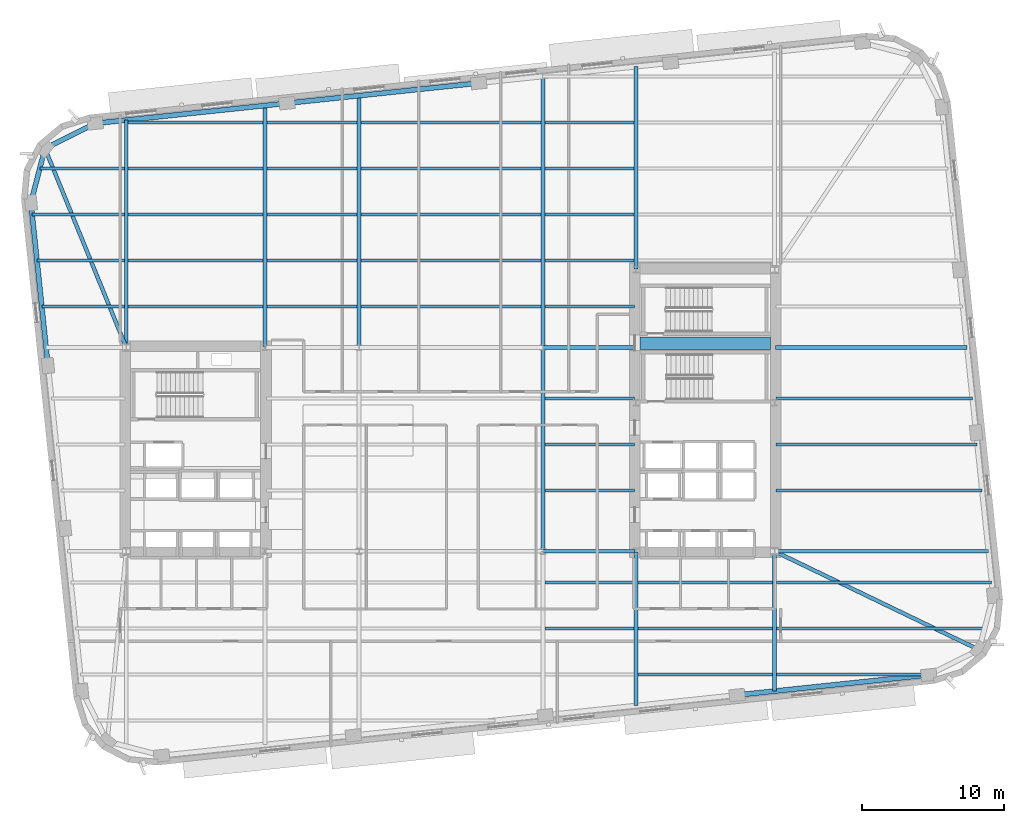
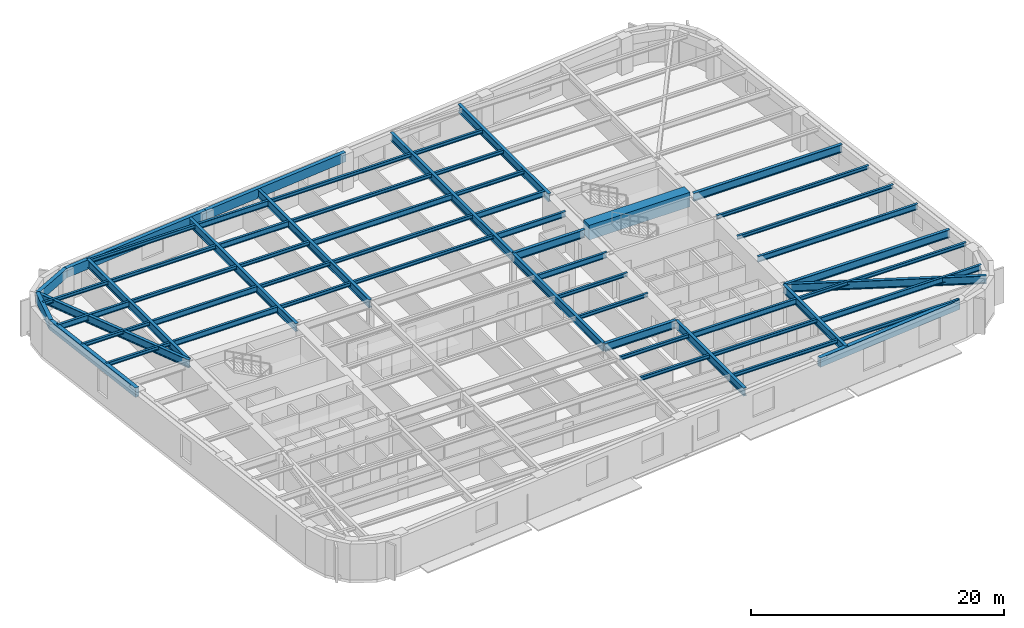
# One storey, part 2 of 15: 59 beams.
"""IFC4 building model written with IfcOpenShell, lengths in metres."""

from ifc_helpers import new_model, si_unit, direction, frame, origin, origin_2d, place, context, subcontext, project, spatial, rectangle, hollow_rectangle, i_section, extrude, material, material_profile, profile_set, type_object, element, save


model = new_model("IFC4")

# Units and contexts
model_context = context("Model", 3, precision=1e-05, world=origin(), true_north=direction((0.0, 1.0)))
body_context = subcontext(model_context, "Body", "Model", "MODEL_VIEW")
ifc_project = project(units=[si_unit("LENGTHUNIT", "METRE"), si_unit("AREAUNIT", "SQUARE_METRE"), si_unit("VOLUMEUNIT", "CUBIC_METRE"), si_unit("PLANEANGLEUNIT", "RADIAN"), si_unit("MASSUNIT", "GRAM", prefix="KILO")], contexts=[model_context])

# Site, building, storey
site_placement = place(None, origin())
site = spatial("IfcSite", under=ifc_project, at=site_placement, CompositionType="ELEMENT")
building_placement = place(site_placement, origin())
building = spatial("IfcBuilding", under=site, at=building_placement, Name="Kolvaren Arena Tower", CompositionType="ELEMENT")
storey_placement = place(building_placement, frame((0.0, 0.0, 107.199951171875)))
storey = spatial("IfcBuildingStorey", under=building, at=storey_placement, Name="L24", CompositionType="ELEMENT", Elevation=107.199951171875)

# Beams
ifc_material_1 = material(Name="Steel CSA G40.21 350W", Category="steel")
ifc_material_profile_1 = material_profile(ifc_material_1, i_section(OverallWidth=0.2119140625, OverallDepth=0.54296875, WebThickness=0.01318359375, FlangeThickness=0.0244140625, FilletRadius=0.013916015625, at=origin_2d()), Name="W530x150")
ifc_profile_set_1 = profile_set([ifc_material_profile_1], Name="Steel CSA G40.21 350W")
beam_type_1 = type_object("IfcBeamType", Name="BEAM-F1", PredefinedType="BEAM", material=ifc_profile_set_1)
beam_1_placement = place(storey_placement, frame((60.485107421875, 14.0, 3.20849609375), z_axis=(1.0, 0.0, 0.0), x_axis=(0.0, 1.0, 0.0)))
element("IfcBeam", 1, at=beam_1_placement, inside=storey, type_object=beam_type_1, Name="Composite Floor Beam (L24)", PredefinedType="BEAM", context=body_context, shape_type="SweptSolid", body=[
    extrude(i_section(OverallWidth=0.2119140625, OverallDepth=0.54296875, WebThickness=0.01318359375, FlangeThickness=0.0244140625, FilletRadius=0.013916015625, at=origin_2d()), origin(), (0.0, 0.0, 1.0), 14.69677734375),
])
beam_2_placement = place(storey_placement, frame((50.68505859375, 17.25, 3.20849609375), z_axis=(1.0, 0.0, 0.0), x_axis=(0.0, 1.0, 0.0)))
element("IfcBeam", 2, at=beam_2_placement, inside=storey, type_object=beam_type_1, Name="Composite Floor Beam (L24)", PredefinedType="BEAM", context=body_context, shape_type="SweptSolid", body=[
    extrude(i_section(OverallWidth=0.2119140625, OverallDepth=0.54296875, WebThickness=0.01318359375, FlangeThickness=0.0244140625, FilletRadius=0.013916015625, at=origin_2d()), origin(), (0.0, 0.0, 1.0), 9.530029296875),
])
beam_3_placement = place(storey_placement, frame((60.445068359375, 23.75, 3.20849609375), z_axis=(1.0, 0.0, 0.0), x_axis=(0.0, 1.0, 0.0)))
element("IfcBeam", 3, at=beam_3_placement, inside=storey, type_object=beam_type_1, Name="Composite Floor Beam (L24)", PredefinedType="BEAM", context=body_context, shape_type="SweptSolid", body=[
    extrude(i_section(OverallWidth=0.2119140625, OverallDepth=0.54296875, WebThickness=0.01318359375, FlangeThickness=0.0244140625, FilletRadius=0.013916015625, at=origin_2d()), origin(), (0.0, 0.0, 1.0), 14.56103515625),
])
beam_4_placement = place(storey_placement, frame((44.135009765625, 30.25, 3.20849609375), z_axis=(1.0, 0.0, 0.0), x_axis=(0.0, 1.0, 0.0)))
element("IfcBeam", 4, at=beam_4_placement, inside=storey, type_object=beam_type_1, Name="Composite Floor Beam (L24)", PredefinedType="BEAM", context=body_context, shape_type="SweptSolid", body=[
    extrude(i_section(OverallWidth=0.2119140625, OverallDepth=0.54296875, WebThickness=0.01318359375, FlangeThickness=0.0244140625, FilletRadius=0.013916015625, at=origin_2d()), origin(), (0.0, 0.0, 1.0), 6.320068359375),
])
beam_5_placement = place(storey_placement, frame((14.68505859375, 36.75, 3.20849609375), z_axis=(1.0, 0.0, 0.0), x_axis=(0.0, 1.0, 0.0)))
element("IfcBeam", 5, at=beam_5_placement, inside=storey, type_object=beam_type_1, Name="Composite Floor Beam (L24)", PredefinedType="BEAM", context=body_context, shape_type="SweptSolid", body=[
    extrude(i_section(OverallWidth=0.2119140625, OverallDepth=0.54296875, WebThickness=0.01318359375, FlangeThickness=0.0244140625, FilletRadius=0.013916015625, at=origin_2d()), origin(), (0.0, 0.0, 1.0), 9.530029296875),
])
beam_6_placement = place(storey_placement, frame((44.135009765625, 36.75, 3.20849609375), z_axis=(1.0, 0.0, 0.0), x_axis=(0.0, 1.0, 0.0)))
element("IfcBeam", 6, at=beam_6_placement, inside=storey, type_object=beam_type_1, Name="Composite Floor Beam (L24)", PredefinedType="BEAM", context=body_context, shape_type="SweptSolid", body=[
    extrude(i_section(OverallWidth=0.2119140625, OverallDepth=0.54296875, WebThickness=0.01318359375, FlangeThickness=0.0244140625, FilletRadius=0.013916015625, at=origin_2d()), origin(), (0.0, 0.0, 1.0), 6.320068359375),
])
beam_7_placement = place(storey_placement, frame((14.68505859375, 40.0, 3.20849609375), z_axis=(1.0, 0.0, 0.0), x_axis=(0.0, 1.0, 0.0)))
element("IfcBeam", 7, at=beam_7_placement, inside=storey, type_object=beam_type_1, Name="Composite Floor Beam (L24)", PredefinedType="BEAM", context=body_context, shape_type="SweptSolid", body=[
    extrude(i_section(OverallWidth=0.2119140625, OverallDepth=0.54296875, WebThickness=0.01318359375, FlangeThickness=0.0244140625, FilletRadius=0.013916015625, at=origin_2d()), origin(), (0.0, 0.0, 1.0), 9.530029296875),
])
beam_8_placement = place(storey_placement, frame((44.135009765625, 40.0, 3.20849609375), z_axis=(1.0, 0.0, 0.0), x_axis=(0.0, 1.0, 0.0)))
element("IfcBeam", 8, at=beam_8_placement, inside=storey, type_object=beam_type_1, Name="Composite Floor Beam (L24)", PredefinedType="BEAM", context=body_context, shape_type="SweptSolid", body=[
    extrude(i_section(OverallWidth=0.2119140625, OverallDepth=0.54296875, WebThickness=0.01318359375, FlangeThickness=0.0244140625, FilletRadius=0.013916015625, at=origin_2d()), origin(), (0.0, 0.0, 1.0), 6.280029296875),
])
beam_9_placement = place(storey_placement, frame((7.900146484375, 43.25, 3.20849609375), z_axis=(1.0, 0.0, 0.0), x_axis=(0.0, 1.0, 0.0)))
element("IfcBeam", 9, at=beam_9_placement, inside=storey, type_object=beam_type_1, Name="Composite Floor Beam (L24)", PredefinedType="BEAM", context=body_context, shape_type="SweptSolid", body=[
    extrude(i_section(OverallWidth=0.2119140625, OverallDepth=0.54296875, WebThickness=0.01318359375, FlangeThickness=0.0244140625, FilletRadius=0.013916015625, at=origin_2d()), origin(), (0.0, 0.0, 1.0), 6.514892578125),
])
beam_10_placement = place(storey_placement, frame((31.135009765625, 43.25, 3.20849609375), z_axis=(1.0, 0.0, 0.0), x_axis=(0.0, 1.0, 0.0)))
element("IfcBeam", 10, at=beam_10_placement, inside=storey, type_object=beam_type_1, Name="Composite Floor Beam (L24)", PredefinedType="BEAM", context=body_context, shape_type="SweptSolid", body=[
    extrude(i_section(OverallWidth=0.2119140625, OverallDepth=0.54296875, WebThickness=0.01318359375, FlangeThickness=0.0244140625, FilletRadius=0.013916015625, at=origin_2d()), origin(), (0.0, 0.0, 1.0), 12.72998046875),
])
for number, where, z_axis, x_axis, name in (
    (11, (24.485107421875, 46.5, 3.20849609375), (1.0, 0.0, 0.0), (0.0, 1.0, 0.0), "Composite Floor Beam (L24)"),
    (12, (24.485107421875, 49.75, 3.20849609375), (1.0, 0.0, 0.0), (0.0, 1.0, 0.0), "Composite Floor Beam (L24)"),
):
    element("IfcBeam", number, at=place(storey_placement, frame(where, z_axis=z_axis, x_axis=x_axis)), inside=storey, type_object=beam_type_1, Name=name, PredefinedType="BEAM", context=body_context, shape_type="SweptSolid", body=[
        extrude(i_section(OverallWidth=0.2119140625, OverallDepth=0.54296875, WebThickness=0.01318359375, FlangeThickness=0.0244140625, FilletRadius=0.013916015625, at=origin_2d()), origin(), (0.0, 0.0, 1.0), 6.3798828125),
    ])
ifc_material_2 = material(Name="Concrete 75 MPa", Category="concrete")
ifc_material_profile_2 = material_profile(ifc_material_2, rectangle(XDim=0.89990234375, YDim=1.39990234375, at=origin_2d()), Name="RC-900x1400")
ifc_profile_set_2 = profile_set([ifc_material_profile_2], Name="Concrete 75 MPa")
beam_type_2 = type_object("IfcBeamType", Name="CB-CORE-1", PredefinedType="BEAM", material=ifc_profile_set_2)
beam_11_placement = place(storey_placement, frame((50.85009765625, 34.14990234375, 3.050048828125), z_axis=(1.0, 0.0, 0.0), x_axis=(0.0, 1.0, 0.0)))
element("IfcBeam", 13, at=beam_11_placement, inside=storey, type_object=beam_type_2, Name="East Core Coupling Beam (L24)", PredefinedType="BEAM", context=body_context, shape_type="SweptSolid", body=[
    extrude(rectangle(XDim=0.89990234375, YDim=1.39990234375, at=origin_2d()), origin(), (0.0, 0.0, 1.0), 9.199951171875),
])
ifc_material_profile_3 = material_profile(ifc_material_1, i_section(OverallWidth=0.27001953125, OverallDepth=0.77294921875, WebThickness=0.019287109375, FlangeThickness=0.033447265625, FilletRadius=0.01806640625, at=origin_2d()), Name="W760x257")
ifc_profile_set_3 = profile_set([ifc_material_profile_3], Name="Steel CSA G40.21 350W")
beam_type_3 = type_object("IfcBeamType", Name="GIRD-T1", PredefinedType="BEAM", material=ifc_profile_set_3)
beam_12_placement = place(storey_placement, frame((74.790283203125, 12.49267578125, 3.093505859375), z_axis=(-0.900889626424, 0.43404824732, 0.0), x_axis=(-0.43404824732, -0.900889626424, 0.0)))
element("IfcBeam", 14, at=beam_12_placement, inside=storey, type_object=beam_type_3, Name="Corner Diagonal Tie Girder (L24)", PredefinedType="BEAM", context=body_context, shape_type="SweptSolid", body=[
    extrude(i_section(OverallWidth=0.27001953125, OverallDepth=0.77294921875, WebThickness=0.019287109375, FlangeThickness=0.033447265625, FilletRadius=0.01806640625, at=origin_2d()), origin(), (0.0, 0.0, 1.0), 16.02880859375),
])
beam_13_placement = place(storey_placement, frame((8.8095703125, 47.9072265625, 3.093505859375), z_axis=(0.378059288681, -0.925781385772, 0.0), x_axis=(0.925781385772, 0.378059288681, 0.0)))
element("IfcBeam", 15, at=beam_13_placement, inside=storey, type_object=beam_type_3, Name="Corner Diagonal Tie Girder (L24)", PredefinedType="BEAM", context=body_context, shape_type="SweptSolid", body=[
    extrude(i_section(OverallWidth=0.27001953125, OverallDepth=0.77294921875, WebThickness=0.019287109375, FlangeThickness=0.033447265625, FilletRadius=0.01806640625, at=origin_2d()), origin(), (0.0, 0.0, 1.0), 15.18408203125),
])
beam_14_placement = place(storey_placement, frame((44.0, 19.449951171875, 3.093505859375), z_axis=(1.0, 0.0, 0.0), x_axis=(0.0, 1.0, 0.0)))
element("IfcBeam", 16, at=beam_14_placement, inside=storey, type_object=beam_type_3, Name="Primary Floor Girder (L24)", PredefinedType="BEAM", context=body_context, shape_type="SweptSolid", body=[
    extrude(i_section(OverallWidth=0.27001953125, OverallDepth=0.77294921875, WebThickness=0.019287109375, FlangeThickness=0.033447265625, FilletRadius=0.01806640625, at=origin_2d()), origin(), (0.0, 0.0, 1.0), 6.4951171875),
])
beam_15_placement = place(storey_placement, frame((60.405029296875, 19.449951171875, 3.093505859375), z_axis=(1.0, 0.0, 0.0), x_axis=(0.0, 1.0, 0.0)))
element("IfcBeam", 17, at=beam_15_placement, inside=storey, type_object=beam_type_3, Name="Primary Floor Girder (L24)", PredefinedType="BEAM", context=body_context, shape_type="SweptSolid", body=[
    extrude(i_section(OverallWidth=0.27001953125, OverallDepth=0.77294921875, WebThickness=0.019287109375, FlangeThickness=0.033447265625, FilletRadius=0.01806640625, at=origin_2d()), origin(), (0.0, 0.0, 1.0), 15.052978515625),
])
beam_16_placement = place(storey_placement, frame((44.0, 33.85009765625, 3.093505859375), z_axis=(1.0, 0.0, 0.0), x_axis=(0.0, 1.0, 0.0)))
element("IfcBeam", 18, at=beam_16_placement, inside=storey, type_object=beam_type_3, Name="Primary Floor Girder (L24)", PredefinedType="BEAM", context=body_context, shape_type="SweptSolid", body=[
    extrude(i_section(OverallWidth=0.27001953125, OverallDepth=0.77294921875, WebThickness=0.019287109375, FlangeThickness=0.033447265625, FilletRadius=0.01806640625, at=origin_2d()), origin(), (0.0, 0.0, 1.0), 6.4951171875),
])
beam_17_placement = place(storey_placement, frame((60.405029296875, 33.85009765625, 3.093505859375), z_axis=(1.0, 0.0, 0.0), x_axis=(0.0, 1.0, 0.0)))
element("IfcBeam", 19, at=beam_17_placement, inside=storey, type_object=beam_type_3, Name="Primary Floor Girder (L24)", PredefinedType="BEAM", context=body_context, shape_type="SweptSolid", body=[
    extrude(i_section(OverallWidth=0.27001953125, OverallDepth=0.77294921875, WebThickness=0.019287109375, FlangeThickness=0.033447265625, FilletRadius=0.01806640625, at=origin_2d()), origin(), (0.0, 0.0, 1.0), 13.53955078125),
])
beam_18_placement = place(storey_placement, frame((14.550048828125, 33.905029296875, 3.093505859375), z_axis=(0.0, 1.0, 0.0), x_axis=(-1.0, 0.0, 0.0)))
element("IfcBeam", 20, at=beam_18_placement, inside=storey, type_object=beam_type_3, Name="Primary Floor Girder (L24)", PredefinedType="BEAM", context=body_context, shape_type="SweptSolid", body=[
    extrude(i_section(OverallWidth=0.27001953125, OverallDepth=0.77294921875, WebThickness=0.019287109375, FlangeThickness=0.033447265625, FilletRadius=0.01806640625, at=origin_2d()), origin(), (0.0, 0.0, 1.0), 16.004638671875),
])
beam_19_placement = place(storey_placement, frame((24.35009765625, 33.905029296875, 3.093505859375), z_axis=(0.0, 1.0, 0.0), x_axis=(-1.0, 0.0, 0.0)))
element("IfcBeam", 21, at=beam_19_placement, inside=storey, type_object=beam_type_3, Name="Primary Floor Girder (L24)", PredefinedType="BEAM", context=body_context, shape_type="SweptSolid", body=[
    extrude(i_section(OverallWidth=0.27001953125, OverallDepth=0.77294921875, WebThickness=0.019287109375, FlangeThickness=0.033447265625, FilletRadius=0.01806640625, at=origin_2d()), origin(), (0.0, 0.0, 1.0), 17.03466796875),
])
beam_20_placement = place(storey_placement, frame((31.0, 33.85009765625, 3.093505859375), z_axis=(0.0, 1.0, 0.0), x_axis=(-1.0, 0.0, 0.0)))
element("IfcBeam", 22, at=beam_20_placement, inside=storey, type_object=beam_type_3, Name="Primary Floor Girder (L24)", PredefinedType="BEAM", context=body_context, shape_type="SweptSolid", body=[
    extrude(i_section(OverallWidth=0.27001953125, OverallDepth=0.77294921875, WebThickness=0.019287109375, FlangeThickness=0.033447265625, FilletRadius=0.01806640625, at=origin_2d()), origin(), (0.0, 0.0, 1.0), 17.788330078125),
])
beam_21_placement = place(storey_placement, frame((44.0, 19.449951171875, 3.093505859375), z_axis=(0.0, 1.0, 0.0), x_axis=(-1.0, 0.0, 0.0)))
element("IfcBeam", 23, at=beam_21_placement, inside=storey, type_object=beam_type_3, Name="Primary Floor Girder (L24)", PredefinedType="BEAM", context=body_context, shape_type="SweptSolid", body=[
    extrude(i_section(OverallWidth=0.27001953125, OverallDepth=0.77294921875, WebThickness=0.019287109375, FlangeThickness=0.033447265625, FilletRadius=0.01806640625, at=origin_2d()), origin(), (0.0, 0.0, 1.0), 14.400146484375),
])
beam_22_placement = place(storey_placement, frame((44.0, 33.85009765625, 3.093505859375), z_axis=(0.0, 1.0, 0.0), x_axis=(-1.0, 0.0, 0.0)))
element("IfcBeam", 24, at=beam_22_placement, inside=storey, type_object=beam_type_3, Name="Primary Floor Girder (L24)", PredefinedType="BEAM", context=body_context, shape_type="SweptSolid", body=[
    extrude(i_section(OverallWidth=0.27001953125, OverallDepth=0.77294921875, WebThickness=0.019287109375, FlangeThickness=0.033447265625, FilletRadius=0.01806640625, at=origin_2d()), origin(), (0.0, 0.0, 1.0), 19.15478515625),
])
beam_23_placement = place(storey_placement, frame((50.550048828125, 8.5458984375, 3.093505859375), z_axis=(0.0, 1.0, 0.0), x_axis=(-1.0, 0.0, 0.0)))
element("IfcBeam", 25, at=beam_23_placement, inside=storey, type_object=beam_type_3, Name="Primary Floor Girder (L24)", PredefinedType="BEAM", context=body_context, shape_type="SweptSolid", body=[
    extrude(i_section(OverallWidth=0.27001953125, OverallDepth=0.77294921875, WebThickness=0.019287109375, FlangeThickness=0.033447265625, FilletRadius=0.01806640625, at=origin_2d()), origin(), (0.0, 0.0, 1.0), 10.84912109375),
])
beam_24_placement = place(storey_placement, frame((50.550048828125, 39.405029296875, 3.093505859375), z_axis=(0.0, 1.0, 0.0), x_axis=(-1.0, 0.0, 0.0)))
element("IfcBeam", 26, at=beam_24_placement, inside=storey, type_object=beam_type_3, Name="Primary Floor Girder (L24)", PredefinedType="BEAM", context=body_context, shape_type="SweptSolid", body=[
    extrude(i_section(OverallWidth=0.27001953125, OverallDepth=0.77294921875, WebThickness=0.019287109375, FlangeThickness=0.033447265625, FilletRadius=0.01806640625, at=origin_2d()), origin(), (0.0, 0.0, 1.0), 14.288330078125),
])
beam_25_placement = place(storey_placement, frame((60.35009765625, 9.575927734375, 3.093505859375), z_axis=(0.0, 1.0, 0.0), x_axis=(-1.0, 0.0, 0.0)))
element("IfcBeam", 27, at=beam_25_placement, inside=storey, type_object=beam_type_3, Name="Primary Floor Girder (L24)", PredefinedType="BEAM", context=body_context, shape_type="SweptSolid", body=[
    extrude(i_section(OverallWidth=0.27001953125, OverallDepth=0.77294921875, WebThickness=0.019287109375, FlangeThickness=0.033447265625, FilletRadius=0.01806640625, at=origin_2d()), origin(), (0.0, 0.0, 1.0), 9.819091796875),
])
ifc_material_profile_4 = material_profile(ifc_material_1, i_section(OverallWidth=0.202880859375, OverallDepth=0.346923828125, WebThickness=0.0078125, FlangeThickness=0.013427734375, FilletRadius=0.010986328125, at=origin_2d()), Name="W360x64")
ifc_profile_set_4 = profile_set([ifc_material_profile_4], Name="Steel CSA G40.21 350W")
beam_type_4 = type_object("IfcBeamType", Name="JOIST-01", PredefinedType="JOIST", material=ifc_profile_set_4)
beam_26_placement = place(storey_placement, frame((50.68505859375, 10.75, 3.306640625), z_axis=(1.0, 0.0, 0.0), x_axis=(0.0, 1.0, 0.0)))
element("IfcBeam", 28, at=beam_26_placement, inside=storey, type_object=beam_type_4, Name="Composite Floor Joist (L24)", PredefinedType="JOIST", context=body_context, shape_type="SweptSolid", body=[
    extrude(i_section(OverallWidth=0.202880859375, OverallDepth=0.346923828125, WebThickness=0.0078125, FlangeThickness=0.013427734375, FilletRadius=0.010986328125, at=origin_2d()), origin(), (0.0, 0.0, 1.0), 9.530029296875),
])
beam_27_placement = place(storey_placement, frame((60.485107421875, 10.75, 3.306640625), z_axis=(1.0, 0.0, 0.0), x_axis=(0.0, 1.0, 0.0)))
element("IfcBeam", 29, at=beam_27_placement, inside=storey, type_object=beam_type_4, Name="Composite Floor Joist (L24)", PredefinedType="JOIST", context=body_context, shape_type="SweptSolid", body=[
    extrude(i_section(OverallWidth=0.202880859375, OverallDepth=0.346923828125, WebThickness=0.0078125, FlangeThickness=0.013427734375, FilletRadius=0.010986328125, at=origin_2d()), origin(), (0.0, 0.0, 1.0), 10.819580078125),
])
beam_28_placement = place(storey_placement, frame((44.135009765625, 14.0, 3.306640625), z_axis=(1.0, 0.0, 0.0), x_axis=(0.0, 1.0, 0.0)))
element("IfcBeam", 30, at=beam_28_placement, inside=storey, type_object=beam_type_4, Name="Composite Floor Joist (L24)", PredefinedType="JOIST", context=body_context, shape_type="SweptSolid", body=[
    extrude(i_section(OverallWidth=0.202880859375, OverallDepth=0.346923828125, WebThickness=0.0078125, FlangeThickness=0.013427734375, FilletRadius=0.010986328125, at=origin_2d()), origin(), (0.0, 0.0, 1.0), 6.280029296875),
])
beam_29_placement = place(storey_placement, frame((50.68505859375, 14.0, 3.306640625), z_axis=(1.0, 0.0, 0.0), x_axis=(0.0, 1.0, 0.0)))
element("IfcBeam", 31, at=beam_29_placement, inside=storey, type_object=beam_type_4, Name="Composite Floor Joist (L24)", PredefinedType="JOIST", context=body_context, shape_type="SweptSolid", body=[
    extrude(i_section(OverallWidth=0.202880859375, OverallDepth=0.346923828125, WebThickness=0.0078125, FlangeThickness=0.013427734375, FilletRadius=0.010986328125, at=origin_2d()), origin(), (0.0, 0.0, 1.0), 9.530029296875),
])
beam_30_placement = place(storey_placement, frame((44.135009765625, 17.25, 3.306640625), z_axis=(1.0, 0.0, 0.0), x_axis=(0.0, 1.0, 0.0)))
element("IfcBeam", 32, at=beam_30_placement, inside=storey, type_object=beam_type_4, Name="Composite Floor Joist (L24)", PredefinedType="JOIST", context=body_context, shape_type="SweptSolid", body=[
    extrude(i_section(OverallWidth=0.202880859375, OverallDepth=0.346923828125, WebThickness=0.0078125, FlangeThickness=0.013427734375, FilletRadius=0.010986328125, at=origin_2d()), origin(), (0.0, 0.0, 1.0), 6.280029296875),
])
beam_31_placement = place(storey_placement, frame((60.485107421875, 17.25, 3.306640625), z_axis=(1.0, 0.0, 0.0), x_axis=(0.0, 1.0, 0.0)))
element("IfcBeam", 33, at=beam_31_placement, inside=storey, type_object=beam_type_4, Name="Composite Floor Joist (L24)", PredefinedType="JOIST", context=body_context, shape_type="SweptSolid", body=[
    extrude(i_section(OverallWidth=0.202880859375, OverallDepth=0.346923828125, WebThickness=0.0078125, FlangeThickness=0.013427734375, FilletRadius=0.010986328125, at=origin_2d()), origin(), (0.0, 0.0, 1.0), 15.2041015625),
])
for number, where, z_axis, x_axis, name in (
    (34, (44.135009765625, 23.75, 3.306640625), (1.0, 0.0, 0.0), (0.0, 1.0, 0.0), "Composite Floor Joist (L24)"),
    (35, (44.135009765625, 27.0, 3.306640625), (1.0, 0.0, 0.0), (0.0, 1.0, 0.0), "Composite Floor Joist (L24)"),
):
    element("IfcBeam", number, at=place(storey_placement, frame(where, z_axis=z_axis, x_axis=x_axis)), inside=storey, type_object=beam_type_4, Name=name, PredefinedType="JOIST", context=body_context, shape_type="SweptSolid", body=[
        extrude(i_section(OverallWidth=0.202880859375, OverallDepth=0.346923828125, WebThickness=0.0078125, FlangeThickness=0.013427734375, FilletRadius=0.010986328125, at=origin_2d()), origin(), (0.0, 0.0, 1.0), 6.320068359375),
    ])
beam_32_placement = place(storey_placement, frame((60.445068359375, 27.0, 3.306640625), z_axis=(1.0, 0.0, 0.0), x_axis=(0.0, 1.0, 0.0)))
element("IfcBeam", 36, at=beam_32_placement, inside=storey, type_object=beam_type_4, Name="Composite Floor Joist (L24)", PredefinedType="JOIST", context=body_context, shape_type="SweptSolid", body=[
    extrude(i_section(OverallWidth=0.202880859375, OverallDepth=0.346923828125, WebThickness=0.0078125, FlangeThickness=0.013427734375, FilletRadius=0.010986328125, at=origin_2d()), origin(), (0.0, 0.0, 1.0), 14.219482421875),
])
beam_33_placement = place(storey_placement, frame((60.445068359375, 30.25, 3.306640625), z_axis=(1.0, 0.0, 0.0), x_axis=(0.0, 1.0, 0.0)))
element("IfcBeam", 37, at=beam_33_placement, inside=storey, type_object=beam_type_4, Name="Composite Floor Joist (L24)", PredefinedType="JOIST", context=body_context, shape_type="SweptSolid", body=[
    extrude(i_section(OverallWidth=0.202880859375, OverallDepth=0.346923828125, WebThickness=0.0078125, FlangeThickness=0.013427734375, FilletRadius=0.010986328125, at=origin_2d()), origin(), (0.0, 0.0, 1.0), 13.8779296875),
])
beam_34_placement = place(storey_placement, frame((8.58349609375, 36.75, 3.306640625), z_axis=(1.0, 0.0, 0.0), x_axis=(0.0, 1.0, 0.0)))
element("IfcBeam", 38, at=beam_34_placement, inside=storey, type_object=beam_type_4, Name="Composite Floor Joist (L24)", PredefinedType="JOIST", context=body_context, shape_type="SweptSolid", body=[
    extrude(i_section(OverallWidth=0.202880859375, OverallDepth=0.346923828125, WebThickness=0.0078125, FlangeThickness=0.013427734375, FilletRadius=0.010986328125, at=origin_2d()), origin(), (0.0, 0.0, 1.0), 5.83154296875),
])
beam_35_placement = place(storey_placement, frame((24.485107421875, 36.75, 3.306640625), z_axis=(1.0, 0.0, 0.0), x_axis=(0.0, 1.0, 0.0)))
element("IfcBeam", 39, at=beam_35_placement, inside=storey, type_object=beam_type_4, Name="Composite Floor Joist (L24)", PredefinedType="JOIST", context=body_context, shape_type="SweptSolid", body=[
    extrude(i_section(OverallWidth=0.202880859375, OverallDepth=0.346923828125, WebThickness=0.0078125, FlangeThickness=0.013427734375, FilletRadius=0.010986328125, at=origin_2d()), origin(), (0.0, 0.0, 1.0), 6.3798828125),
])
beam_36_placement = place(storey_placement, frame((31.135009765625, 36.75, 3.306640625), z_axis=(1.0, 0.0, 0.0), x_axis=(0.0, 1.0, 0.0)))
element("IfcBeam", 40, at=beam_36_placement, inside=storey, type_object=beam_type_4, Name="Composite Floor Joist (L24)", PredefinedType="JOIST", context=body_context, shape_type="SweptSolid", body=[
    extrude(i_section(OverallWidth=0.202880859375, OverallDepth=0.346923828125, WebThickness=0.0078125, FlangeThickness=0.013427734375, FilletRadius=0.010986328125, at=origin_2d()), origin(), (0.0, 0.0, 1.0), 12.72998046875),
])
beam_37_placement = place(storey_placement, frame((8.24169921875, 40.0, 3.306640625), z_axis=(1.0, 0.0, 0.0), x_axis=(0.0, 1.0, 0.0)))
element("IfcBeam", 41, at=beam_37_placement, inside=storey, type_object=beam_type_4, Name="Composite Floor Joist (L24)", PredefinedType="JOIST", context=body_context, shape_type="SweptSolid", body=[
    extrude(i_section(OverallWidth=0.202880859375, OverallDepth=0.346923828125, WebThickness=0.0078125, FlangeThickness=0.013427734375, FilletRadius=0.010986328125, at=origin_2d()), origin(), (0.0, 0.0, 1.0), 6.17333984375),
])
beam_38_placement = place(storey_placement, frame((24.485107421875, 40.0, 3.306640625), z_axis=(1.0, 0.0, 0.0), x_axis=(0.0, 1.0, 0.0)))
element("IfcBeam", 42, at=beam_38_placement, inside=storey, type_object=beam_type_4, Name="Composite Floor Joist (L24)", PredefinedType="JOIST", context=body_context, shape_type="SweptSolid", body=[
    extrude(i_section(OverallWidth=0.202880859375, OverallDepth=0.346923828125, WebThickness=0.0078125, FlangeThickness=0.013427734375, FilletRadius=0.010986328125, at=origin_2d()), origin(), (0.0, 0.0, 1.0), 6.3798828125),
])
beam_39_placement = place(storey_placement, frame((31.135009765625, 40.0, 3.306640625), z_axis=(1.0, 0.0, 0.0), x_axis=(0.0, 1.0, 0.0)))
element("IfcBeam", 43, at=beam_39_placement, inside=storey, type_object=beam_type_4, Name="Composite Floor Joist (L24)", PredefinedType="JOIST", context=body_context, shape_type="SweptSolid", body=[
    extrude(i_section(OverallWidth=0.202880859375, OverallDepth=0.346923828125, WebThickness=0.0078125, FlangeThickness=0.013427734375, FilletRadius=0.010986328125, at=origin_2d()), origin(), (0.0, 0.0, 1.0), 12.72998046875),
])
beam_40_placement = place(storey_placement, frame((14.68505859375, 43.25, 3.306640625), z_axis=(1.0, 0.0, 0.0), x_axis=(0.0, 1.0, 0.0)))
element("IfcBeam", 44, at=beam_40_placement, inside=storey, type_object=beam_type_4, Name="Composite Floor Joist (L24)", PredefinedType="JOIST", context=body_context, shape_type="SweptSolid", body=[
    extrude(i_section(OverallWidth=0.202880859375, OverallDepth=0.346923828125, WebThickness=0.0078125, FlangeThickness=0.013427734375, FilletRadius=0.010986328125, at=origin_2d()), origin(), (0.0, 0.0, 1.0), 9.530029296875),
])
beam_41_placement = place(storey_placement, frame((24.485107421875, 43.25, 3.306640625), z_axis=(1.0, 0.0, 0.0), x_axis=(0.0, 1.0, 0.0)))
element("IfcBeam", 45, at=beam_41_placement, inside=storey, type_object=beam_type_4, Name="Composite Floor Joist (L24)", PredefinedType="JOIST", context=body_context, shape_type="SweptSolid", body=[
    extrude(i_section(OverallWidth=0.202880859375, OverallDepth=0.346923828125, WebThickness=0.0078125, FlangeThickness=0.013427734375, FilletRadius=0.010986328125, at=origin_2d()), origin(), (0.0, 0.0, 1.0), 6.3798828125),
])
beam_42_placement = place(storey_placement, frame((44.135009765625, 43.25, 3.306640625), z_axis=(1.0, 0.0, 0.0), x_axis=(0.0, 1.0, 0.0)))
element("IfcBeam", 46, at=beam_42_placement, inside=storey, type_object=beam_type_4, Name="Composite Floor Joist (L24)", PredefinedType="JOIST", context=body_context, shape_type="SweptSolid", body=[
    extrude(i_section(OverallWidth=0.202880859375, OverallDepth=0.346923828125, WebThickness=0.0078125, FlangeThickness=0.013427734375, FilletRadius=0.010986328125, at=origin_2d()), origin(), (0.0, 0.0, 1.0), 6.280029296875),
])
beam_43_placement = place(storey_placement, frame((8.444091796875, 46.5, 3.306640625), z_axis=(1.0, 0.0, 0.0), x_axis=(0.0, 1.0, 0.0)))
element("IfcBeam", 47, at=beam_43_placement, inside=storey, type_object=beam_type_4, Name="Composite Floor Joist (L24)", PredefinedType="JOIST", context=body_context, shape_type="SweptSolid", body=[
    extrude(i_section(OverallWidth=0.202880859375, OverallDepth=0.346923828125, WebThickness=0.0078125, FlangeThickness=0.013427734375, FilletRadius=0.010986328125, at=origin_2d()), origin(), (0.0, 0.0, 1.0), 5.970947265625),
])
beam_44_placement = place(storey_placement, frame((14.68505859375, 46.5, 3.306640625), z_axis=(1.0, 0.0, 0.0), x_axis=(0.0, 1.0, 0.0)))
element("IfcBeam", 48, at=beam_44_placement, inside=storey, type_object=beam_type_4, Name="Composite Floor Joist (L24)", PredefinedType="JOIST", context=body_context, shape_type="SweptSolid", body=[
    extrude(i_section(OverallWidth=0.202880859375, OverallDepth=0.346923828125, WebThickness=0.0078125, FlangeThickness=0.013427734375, FilletRadius=0.010986328125, at=origin_2d()), origin(), (0.0, 0.0, 1.0), 9.530029296875),
])
beam_45_placement = place(storey_placement, frame((31.135009765625, 46.5, 3.306640625), z_axis=(1.0, 0.0, 0.0), x_axis=(0.0, 1.0, 0.0)))
element("IfcBeam", 49, at=beam_45_placement, inside=storey, type_object=beam_type_4, Name="Composite Floor Joist (L24)", PredefinedType="JOIST", context=body_context, shape_type="SweptSolid", body=[
    extrude(i_section(OverallWidth=0.202880859375, OverallDepth=0.346923828125, WebThickness=0.0078125, FlangeThickness=0.013427734375, FilletRadius=0.010986328125, at=origin_2d()), origin(), (0.0, 0.0, 1.0), 12.72998046875),
])
beam_46_placement = place(storey_placement, frame((44.135009765625, 46.5, 3.306640625), z_axis=(1.0, 0.0, 0.0), x_axis=(0.0, 1.0, 0.0)))
element("IfcBeam", 50, at=beam_46_placement, inside=storey, type_object=beam_type_4, Name="Composite Floor Joist (L24)", PredefinedType="JOIST", context=body_context, shape_type="SweptSolid", body=[
    extrude(i_section(OverallWidth=0.202880859375, OverallDepth=0.346923828125, WebThickness=0.0078125, FlangeThickness=0.013427734375, FilletRadius=0.010986328125, at=origin_2d()), origin(), (0.0, 0.0, 1.0), 6.280029296875),
])
beam_47_placement = place(storey_placement, frame((14.68505859375, 49.75, 3.306640625), z_axis=(1.0, 0.0, 0.0), x_axis=(0.0, 1.0, 0.0)))
element("IfcBeam", 51, at=beam_47_placement, inside=storey, type_object=beam_type_4, Name="Composite Floor Joist (L24)", PredefinedType="JOIST", context=body_context, shape_type="SweptSolid", body=[
    extrude(i_section(OverallWidth=0.202880859375, OverallDepth=0.346923828125, WebThickness=0.0078125, FlangeThickness=0.013427734375, FilletRadius=0.010986328125, at=origin_2d()), origin(), (0.0, 0.0, 1.0), 9.530029296875),
])
beam_48_placement = place(storey_placement, frame((31.135009765625, 49.75, 3.306640625), z_axis=(1.0, 0.0, 0.0), x_axis=(0.0, 1.0, 0.0)))
element("IfcBeam", 52, at=beam_48_placement, inside=storey, type_object=beam_type_4, Name="Composite Floor Joist (L24)", PredefinedType="JOIST", context=body_context, shape_type="SweptSolid", body=[
    extrude(i_section(OverallWidth=0.202880859375, OverallDepth=0.346923828125, WebThickness=0.0078125, FlangeThickness=0.013427734375, FilletRadius=0.010986328125, at=origin_2d()), origin(), (0.0, 0.0, 1.0), 12.72998046875),
])
beam_49_placement = place(storey_placement, frame((44.135009765625, 49.75, 3.306640625), z_axis=(1.0, 0.0, 0.0), x_axis=(0.0, 1.0, 0.0)))
element("IfcBeam", 53, at=beam_49_placement, inside=storey, type_object=beam_type_4, Name="Composite Floor Joist (L24)", PredefinedType="JOIST", context=body_context, shape_type="SweptSolid", body=[
    extrude(i_section(OverallWidth=0.202880859375, OverallDepth=0.346923828125, WebThickness=0.0078125, FlangeThickness=0.013427734375, FilletRadius=0.010986328125, at=origin_2d()), origin(), (0.0, 0.0, 1.0), 6.280029296875),
])
ifc_material_3 = material(Name="Steel CSA G40.21 350WT", Category="steel")
ifc_material_profile_5 = material_profile(ifc_material_3, hollow_rectangle(XDim=0.35009765625, YDim=0.89990234375, WallThickness=0.02001953125, at=origin_2d()), Name="HSS 900x350x20")
ifc_profile_set_5 = profile_set([ifc_material_profile_5], Name="Steel CSA G40.21 350WT")
beam_type_5 = type_object("IfcBeamType", Name="SPAND-01", PredefinedType="SPANDREL", material=ifc_profile_set_5)
for number, where, z_axis, x_axis, name in (
    (54, (57.697021484375, 9.297119140625, 3.030029296875), (0.994520955135, 0.104537408603, 0.0), (-0.104537408603, 0.994520955135, 0.0), "Perimeter Spandrel Beam (L24)"),
    (55, (39.453369140625, 52.527099609375, 3.030029296875), (-0.994520955135, -0.104537408603, 0.0), (0.104537408603, -0.994520955135, 0.0), "Perimeter Spandrel Beam (L24)"),
):
    element("IfcBeam", number, at=place(storey_placement, frame(where, z_axis=z_axis, x_axis=x_axis)), inside=storey, type_object=beam_type_5, Name=name, PredefinedType="SPANDREL", context=body_context, shape_type="SweptSolid", body=[
        extrude(hollow_rectangle(XDim=0.35009765625, YDim=0.89990234375, WallThickness=0.02001953125, at=origin_2d()), origin(), (0.0, 0.0, 1.0), 13.625),
    ])
beam_50_placement = place(storey_placement, frame((25.903076171875, 51.102783203125, 3.030029296875), z_axis=(-0.994523013632, -0.104517823154, 0.0), x_axis=(0.104517823154, -0.994523013632, 0.0)))
element("IfcBeam", 56, at=beam_50_placement, inside=storey, type_object=beam_type_5, Name="Perimeter Spandrel Beam (L24)", PredefinedType="SPANDREL", context=body_context, shape_type="SweptSolid", body=[
    extrude(hollow_rectangle(XDim=0.35009765625, YDim=0.89990234375, WallThickness=0.02001953125, at=origin_2d()), origin(), (0.0, 0.0, 1.0), 13.625244140625),
])
beam_51_placement = place(storey_placement, frame((12.3525390625, 49.6787109375, 3.030029296875), z_axis=(-0.894427191, -0.4472135955, 0.0), x_axis=(0.4472135955, -0.894427191, 0.0)))
element("IfcBeam", 57, at=beam_51_placement, inside=storey, type_object=beam_type_5, Name="Perimeter Spandrel Beam (L24)", PredefinedType="SPANDREL", context=body_context, shape_type="SweptSolid", body=[
    extrude(hollow_rectangle(XDim=0.35009765625, YDim=0.89990234375, WallThickness=0.02001953125, at=origin_2d()), origin(), (0.0, 0.0, 1.0), 3.961181640625),
])
beam_52_placement = place(storey_placement, frame((8.8095703125, 47.9072265625, 3.030029296875), z_axis=(-0.25141561169, -0.96787922294, 0.0), x_axis=(0.96787922294, -0.25141561169, 0.0)))
element("IfcBeam", 58, at=beam_52_placement, inside=storey, type_object=beam_type_5, Name="Perimeter Spandrel Beam (L24)", PredefinedType="SPANDREL", context=body_context, shape_type="SweptSolid", body=[
    extrude(hollow_rectangle(XDim=0.35009765625, YDim=0.89990234375, WallThickness=0.02001953125, at=origin_2d()), origin(), (0.0, 0.0, 1.0), 3.9609375),
])
beam_53_placement = place(storey_placement, frame((7.813720703125, 44.073486328125, 3.030029296875), z_axis=(0.104524366116, -0.994522325988, 0.0), x_axis=(0.994522325988, 0.104524366116, 0.0)))
element("IfcBeam", 59, at=beam_53_placement, inside=storey, type_object=beam_type_5, Name="Perimeter Spandrel Beam (L24)", PredefinedType="SPANDREL", context=body_context, shape_type="SweptSolid", body=[
    extrude(hollow_rectangle(XDim=0.35009765625, YDim=0.89990234375, WallThickness=0.02001953125, at=origin_2d()), origin(), (0.0, 0.0, 1.0), 11.566650390625),
])

save(model, "model.ifc")
